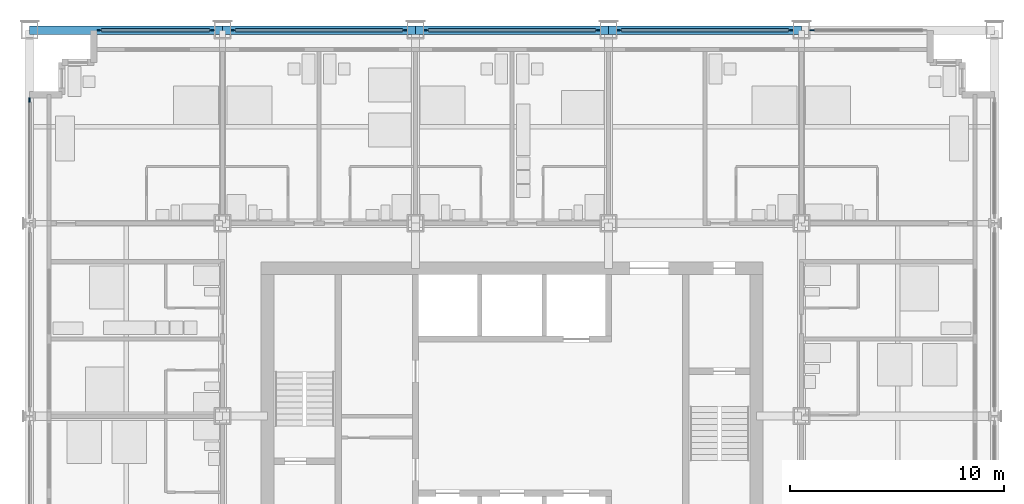
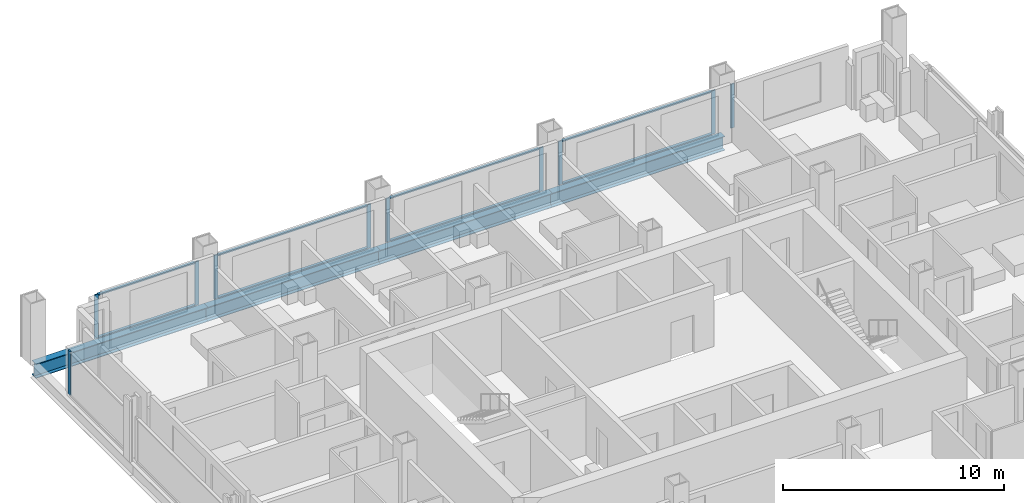
# One storey, part 6 of 17: 18 members, 4 beams, 6 elements without a shape of their own.
"""IFC4 building model written with IfcOpenShell, lengths in metres."""

from ifc_helpers import new_model, si_unit, direction, frame, origin, origin_2d, place, context, subcontext, project, spatial, rectangle, i_section, extrude, material, material_profile, profile_set, type_object, element, aggregate, save


model = new_model("IFC4")

# Units and contexts
model_context = context("Model", 3, precision=1e-05, world=origin(), true_north=direction((0.0, 1.0)))
body_context = subcontext(model_context, "Body", "Model", "MODEL_VIEW")
ifc_project = project(units=[si_unit("LENGTHUNIT", "METRE"), si_unit("AREAUNIT", "SQUARE_METRE"), si_unit("VOLUMEUNIT", "CUBIC_METRE"), si_unit("PLANEANGLEUNIT", "RADIAN"), si_unit("MASSUNIT", "GRAM", prefix="KILO")], contexts=[model_context])

# Site, building, storey
site_placement = place(None, origin())
site = spatial("IfcSite", under=ifc_project, at=site_placement, CompositionType="ELEMENT")
building_placement = place(site_placement, origin())
building = spatial("IfcBuilding", under=site, at=building_placement, Name="Loomwork Tower", CompositionType="ELEMENT")
storey_placement = place(building_placement, frame((0.0, 0.0, 138.39990234375)))
storey = spatial("IfcBuildingStorey", under=building, at=storey_placement, Name="L37", CompositionType="ELEMENT", Elevation=138.39990234375)

# Curtain wall, members
ifc_material_1 = material(Name="Aluminium curtain wall frame", Category="aluminium")
curtain_wall_type = type_object("IfcCurtainWallType", Name="Outer skin glazing hotel", PredefinedType="NOTDEFINED", material=ifc_material_1)
curtain_wall_1_placement = place(storey_placement, origin())
curtain_wall_1 = element("IfcCurtainWall", 1, at=curtain_wall_1_placement, inside=storey, type_object=curtain_wall_type, Name="Outer skin glazing hotel cw/N-0", PredefinedType="NOTDEFINED")
ifc_material_2 = material(Name="Aluminium curtain wall frame", Category="aluminium")
ifc_material_profile_1 = material_profile(ifc_material_2, rectangle(XDim=0.06494140625, YDim=0.199951171875, at=origin_2d()), Name="AL 65x200")
ifc_profile_set_1 = profile_set([ifc_material_profile_1], Name="Aluminium curtain wall frame")
member_type_1 = type_object("IfcMemberType", Name="Outer skin glazing hotel mullion", PredefinedType="MULLION", material=ifc_profile_set_1)
member_1_placement = place(storey_placement, frame((8.5, 36.0, 0.0), z_axis=(0.0, 0.0, 1.0), x_axis=(0.0, -1.0, 0.0)))
member_1 = element("IfcMember", 2, at=member_1_placement, type_object=member_type_1, Name="CW1 mullion 1", PredefinedType="MULLION", context=body_context, shape_type="SweptSolid", body=[
    extrude(rectangle(XDim=0.06494140625, YDim=0.199951171875, at=origin_2d()), origin(), (0.0, 0.0, 1.0), 2.42041015625),
])
member_2_placement = place(storey_placement, frame((3.25, 36.0, 0.0), z_axis=(0.0, 0.0, 1.0), x_axis=(0.0, -1.0, 0.0)))
member_2 = element("IfcMember", 3, at=member_2_placement, type_object=member_type_1, Name="CW1 mullion 2", PredefinedType="MULLION", context=body_context, shape_type="SweptSolid", body=[
    extrude(rectangle(XDim=0.06494140625, YDim=0.199951171875, at=origin_2d()), origin(), (0.0, 0.0, 1.0), 2.42041015625),
])

curtain_wall_2_placement = place(storey_placement, origin())
curtain_wall_2 = element("IfcCurtainWall", 4, at=curtain_wall_2_placement, inside=storey, type_object=curtain_wall_type, Name="Outer skin glazing hotel cw/N-9", PredefinedType="NOTDEFINED")
member_3_placement = place(storey_placement, frame((17.5, 36.0, 0.0), z_axis=(0.0, 0.0, 1.0), x_axis=(0.0, -1.0, 0.0)))
member_3 = element("IfcMember", 5, at=member_3_placement, type_object=member_type_1, Name="CW1 mullion 1", PredefinedType="MULLION", context=body_context, shape_type="SweptSolid", body=[
    extrude(rectangle(XDim=0.06494140625, YDim=0.199951171875, at=origin_2d()), origin(), (0.0, 0.0, 1.0), 2.42041015625),
])
member_4_placement = place(storey_placement, frame((9.5, 36.0, 0.0), z_axis=(0.0, 0.0, 1.0), x_axis=(0.0, -1.0, 0.0)))
member_4 = element("IfcMember", 6, at=member_4_placement, type_object=member_type_1, Name="CW1 mullion 2", PredefinedType="MULLION", context=body_context, shape_type="SweptSolid", body=[
    extrude(rectangle(XDim=0.06494140625, YDim=0.199951171875, at=origin_2d()), origin(), (0.0, 0.0, 1.0), 2.42041015625),
])

curtain_wall_3_placement = place(storey_placement, origin())
curtain_wall_3 = element("IfcCurtainWall", 7, at=curtain_wall_3_placement, inside=storey, type_object=curtain_wall_type, Name="Outer skin glazing hotel cw/N-18", PredefinedType="NOTDEFINED")
member_5_placement = place(storey_placement, frame((26.5, 36.0, 0.0), z_axis=(0.0, 0.0, 1.0), x_axis=(0.0, -1.0, 0.0)))
member_5 = element("IfcMember", 8, at=member_5_placement, type_object=member_type_1, Name="CW1 mullion 1", PredefinedType="MULLION", context=body_context, shape_type="SweptSolid", body=[
    extrude(rectangle(XDim=0.06494140625, YDim=0.199951171875, at=origin_2d()), origin(), (0.0, 0.0, 1.0), 2.42041015625),
])
member_6_placement = place(storey_placement, frame((18.5, 36.0, 0.0), z_axis=(0.0, 0.0, 1.0), x_axis=(0.0, -1.0, 0.0)))
member_6 = element("IfcMember", 9, at=member_6_placement, type_object=member_type_1, Name="CW1 mullion 2", PredefinedType="MULLION", context=body_context, shape_type="SweptSolid", body=[
    extrude(rectangle(XDim=0.06494140625, YDim=0.199951171875, at=origin_2d()), origin(), (0.0, 0.0, 1.0), 2.42041015625),
])

curtain_wall_4_placement = place(storey_placement, origin())
curtain_wall_4 = element("IfcCurtainWall", 10, at=curtain_wall_4_placement, inside=storey, type_object=curtain_wall_type, Name="Outer skin glazing hotel cw/N-27", PredefinedType="NOTDEFINED")
member_7_placement = place(storey_placement, frame((35.5, 36.0, 0.0), z_axis=(0.0, 0.0, 1.0), x_axis=(0.0, -1.0, 0.0)))
member_7 = element("IfcMember", 11, at=member_7_placement, type_object=member_type_1, Name="CW1 mullion 1", PredefinedType="MULLION", context=body_context, shape_type="SweptSolid", body=[
    extrude(rectangle(XDim=0.06494140625, YDim=0.199951171875, at=origin_2d()), origin(), (0.0, 0.0, 1.0), 2.42041015625),
])
member_8_placement = place(storey_placement, frame((27.5, 36.0, 0.0), z_axis=(0.0, 0.0, 1.0), x_axis=(0.0, -1.0, 0.0)))
member_8 = element("IfcMember", 12, at=member_8_placement, type_object=member_type_1, Name="CW1 mullion 2", PredefinedType="MULLION", context=body_context, shape_type="SweptSolid", body=[
    extrude(rectangle(XDim=0.06494140625, YDim=0.199951171875, at=origin_2d()), origin(), (0.0, 0.0, 1.0), 2.42041015625),
])

# Curtain wall, member
curtain_wall_5_placement = place(storey_placement, origin())
curtain_wall_5 = element("IfcCurtainWall", 13, at=curtain_wall_5_placement, inside=storey, type_object=curtain_wall_type, Name="Outer skin glazing hotel cw/N-36", PredefinedType="NOTDEFINED")
member_9_placement = place(storey_placement, frame((36.5, 36.0, 0.0), z_axis=(0.0, 0.0, 1.0), x_axis=(0.0, -1.0, 0.0)))
member_9 = element("IfcMember", 14, at=member_9_placement, type_object=member_type_1, Name="CW1 mullion 2", PredefinedType="MULLION", context=body_context, shape_type="SweptSolid", body=[
    extrude(rectangle(XDim=0.06494140625, YDim=0.199951171875, at=origin_2d()), origin(), (0.0, 0.0, 1.0), 2.42041015625),
])
aggregate(curtain_wall_5, [member_9])

curtain_wall_6_placement = place(storey_placement, origin())
curtain_wall_6 = element("IfcCurtainWall", 15, at=curtain_wall_6_placement, inside=storey, type_object=curtain_wall_type, Name="Outer skin glazing hotel cw/W-27", PredefinedType="NOTDEFINED")
member_10_placement = place(storey_placement, frame((0.0, 32.75, 0.0), z_axis=(0.0, 0.0, 1.0), x_axis=(1.0, 0.0, 0.0)))
member_10 = element("IfcMember", 16, at=member_10_placement, type_object=member_type_1, Name="CW1 mullion 1", PredefinedType="MULLION", context=body_context, shape_type="SweptSolid", body=[
    extrude(rectangle(XDim=0.06494140625, YDim=0.199951171875, at=origin_2d()), origin(), (0.0, 0.0, 1.0), 2.42041015625),
])
aggregate(curtain_wall_6, [member_10])

# Member
ifc_material_3 = material(Name="Aluminium curtain wall frame", Category="aluminium")
ifc_material_profile_2 = material_profile(ifc_material_3, rectangle(XDim=0.14990234375, YDim=0.06494140625, at=origin_2d()), Name="AL 65x150")
ifc_profile_set_2 = profile_set([ifc_material_profile_2], Name="Aluminium curtain wall frame")
member_type_2 = type_object("IfcMemberType", Name="Outer skin glazing hotel transom", PredefinedType="USERDEFINED", material=ifc_profile_set_2)
member_11_placement = place(storey_placement, frame((8.39990234375, 36.0, 0.03271484375), z_axis=(-1.0, 0.0, 0.0), x_axis=(0.0, -1.0, 0.0)))
member_11 = element("IfcMember", 17, at=member_11_placement, type_object=member_type_2, Name="CW1 transom 1.1", ObjectType="TRANSOM", PredefinedType="USERDEFINED", context=body_context, shape_type="SweptSolid", body=[
    extrude(rectangle(XDim=0.14990234375, YDim=0.06494140625, at=origin_2d()), origin(), (0.0, 0.0, 1.0), 5.0498046875),
])

member_12_placement = place(storey_placement, frame((8.39990234375, 36.0, 2.3876953125), z_axis=(-1.0, 0.0, 0.0), x_axis=(0.0, -1.0, 0.0)))
member_12 = element("IfcMember", 18, at=member_12_placement, type_object=member_type_2, Name="CW1 transom 1.2", ObjectType="TRANSOM", PredefinedType="USERDEFINED", context=body_context, shape_type="SweptSolid", body=[
    extrude(rectangle(XDim=0.14990234375, YDim=0.06494140625, at=origin_2d()), origin(), (0.0, 0.0, 1.0), 5.0498046875),
])

aggregate(curtain_wall_1, [member_1, member_2, member_11, member_12])

member_13_placement = place(storey_placement, frame((17.39990234375, 36.0, 0.03271484375), z_axis=(-1.0, 0.0, 0.0), x_axis=(0.0, -1.0, 0.0)))
member_13 = element("IfcMember", 19, at=member_13_placement, type_object=member_type_2, Name="CW1 transom 1.1", ObjectType="TRANSOM", PredefinedType="USERDEFINED", context=body_context, shape_type="SweptSolid", body=[
    extrude(rectangle(XDim=0.14990234375, YDim=0.06494140625, at=origin_2d()), origin(), (0.0, 0.0, 1.0), 7.7998046875),
])

member_14_placement = place(storey_placement, frame((17.39990234375, 36.0, 2.3876953125), z_axis=(-1.0, 0.0, 0.0), x_axis=(0.0, -1.0, 0.0)))
member_14 = element("IfcMember", 20, at=member_14_placement, type_object=member_type_2, Name="CW1 transom 1.2", ObjectType="TRANSOM", PredefinedType="USERDEFINED", context=body_context, shape_type="SweptSolid", body=[
    extrude(rectangle(XDim=0.14990234375, YDim=0.06494140625, at=origin_2d()), origin(), (0.0, 0.0, 1.0), 7.7998046875),
])

aggregate(curtain_wall_2, [member_3, member_4, member_13, member_14])

member_15_placement = place(storey_placement, frame((26.39990234375, 36.0, 0.03271484375), z_axis=(-1.0, 0.0, 0.0), x_axis=(0.0, -1.0, 0.0)))
member_15 = element("IfcMember", 21, at=member_15_placement, type_object=member_type_2, Name="CW1 transom 1.1", ObjectType="TRANSOM", PredefinedType="USERDEFINED", context=body_context, shape_type="SweptSolid", body=[
    extrude(rectangle(XDim=0.14990234375, YDim=0.06494140625, at=origin_2d()), origin(), (0.0, 0.0, 1.0), 7.7998046875),
])

member_16_placement = place(storey_placement, frame((26.39990234375, 36.0, 2.3876953125), z_axis=(-1.0, 0.0, 0.0), x_axis=(0.0, -1.0, 0.0)))
member_16 = element("IfcMember", 22, at=member_16_placement, type_object=member_type_2, Name="CW1 transom 1.2", ObjectType="TRANSOM", PredefinedType="USERDEFINED", context=body_context, shape_type="SweptSolid", body=[
    extrude(rectangle(XDim=0.14990234375, YDim=0.06494140625, at=origin_2d()), origin(), (0.0, 0.0, 1.0), 7.7998046875),
])

aggregate(curtain_wall_3, [member_5, member_6, member_15, member_16])

member_17_placement = place(storey_placement, frame((35.39990234375, 36.0, 0.03271484375), z_axis=(-1.0, 0.0, 0.0), x_axis=(0.0, -1.0, 0.0)))
member_17 = element("IfcMember", 23, at=member_17_placement, type_object=member_type_2, Name="CW1 transom 1.1", ObjectType="TRANSOM", PredefinedType="USERDEFINED", context=body_context, shape_type="SweptSolid", body=[
    extrude(rectangle(XDim=0.14990234375, YDim=0.06494140625, at=origin_2d()), origin(), (0.0, 0.0, 1.0), 7.7998046875),
])

member_18_placement = place(storey_placement, frame((35.39990234375, 36.0, 2.3876953125), z_axis=(-1.0, 0.0, 0.0), x_axis=(0.0, -1.0, 0.0)))
member_18 = element("IfcMember", 24, at=member_18_placement, type_object=member_type_2, Name="CW1 transom 1.2", ObjectType="TRANSOM", PredefinedType="USERDEFINED", context=body_context, shape_type="SweptSolid", body=[
    extrude(rectangle(XDim=0.14990234375, YDim=0.06494140625, at=origin_2d()), origin(), (0.0, 0.0, 1.0), 7.7998046875),
])

aggregate(curtain_wall_4, [member_7, member_8, member_17, member_18])

# Beams
ifc_material_4 = material(Name="Steel ASTM A992", Category="steel")
ifc_material_profile_3 = material_profile(ifc_material_4, i_section(OverallWidth=0.381103515625, OverallDepth=0.77978515625, WebThickness=0.01806640625, FlangeThickness=0.0302734375, at=origin_2d()), Name="W30x191")
ifc_profile_set_3 = profile_set([ifc_material_profile_3], Name="Steel ASTM A992")
beam_type = type_object("IfcBeamType", Name="SPANDREL GIRDER W30x191", PredefinedType="SPANDREL", material=ifc_profile_set_3)
for number, where, z_axis, x_axis, name in (
    (25, (0.0, 36.0, -0.58984375), (1.0, 0.0, 0.0), (0.0, 1.0, 0.0), "Spandrel Girder H/2-H/3 L37"),
    (26, (9.0, 36.0, -0.58984375), (1.0, 0.0, 0.0), (0.0, 1.0, 0.0), "Spandrel Girder H/3-H/4 L37"),
    (27, (18.0, 36.0, -0.58984375), (1.0, 0.0, 0.0), (0.0, 1.0, 0.0), "Spandrel Girder H/4-H/5 L37"),
    (28, (27.0, 36.0, -0.58984375), (1.0, 0.0, 0.0), (0.0, 1.0, 0.0), "Spandrel Girder H/5-H/6 L37"),
):
    element("IfcBeam", number, at=place(storey_placement, frame(where, z_axis=z_axis, x_axis=x_axis)), inside=storey, type_object=beam_type, Name=name, PredefinedType="SPANDREL", context=body_context, shape_type="SweptSolid", body=[
        extrude(i_section(OverallWidth=0.381103515625, OverallDepth=0.77978515625, WebThickness=0.01806640625, FlangeThickness=0.0302734375, at=origin_2d()), origin(), (0.0, 0.0, 1.0), 9.0),
    ])

save(model, "model.ifc")
